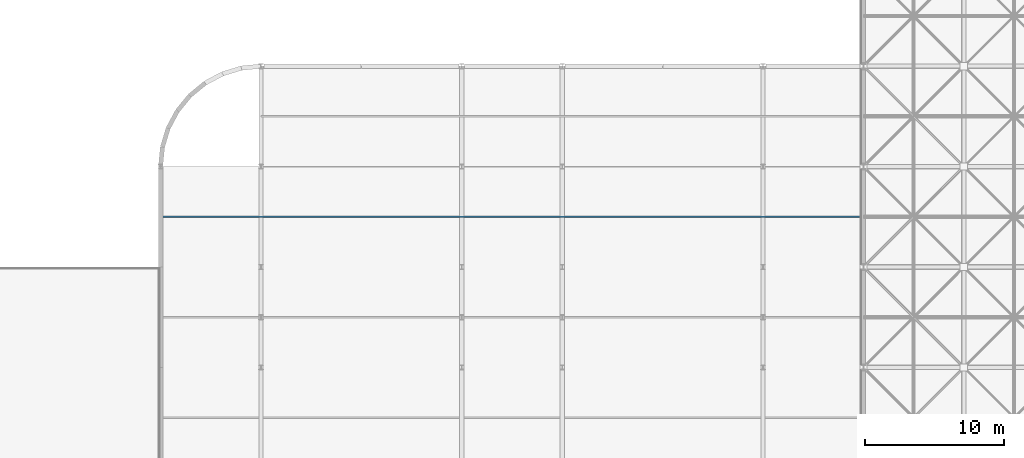
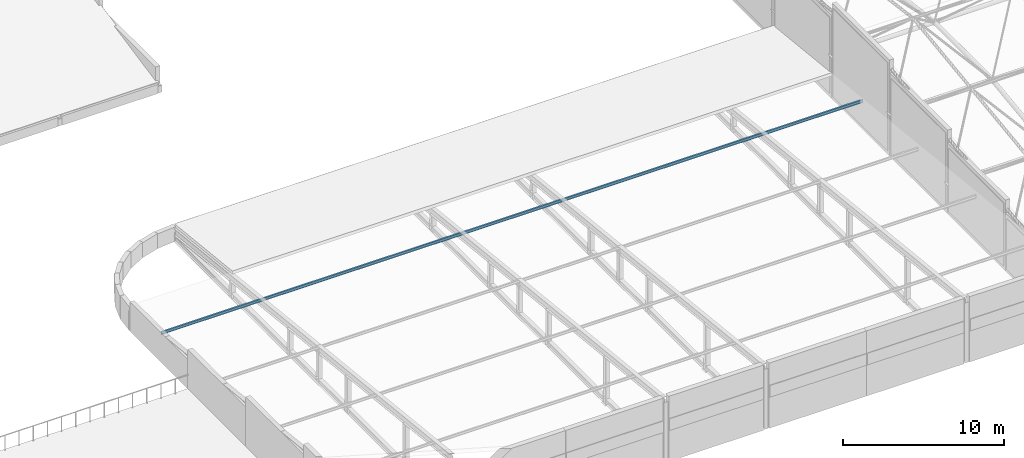
# One storey, part 27 of 103: 1 member.
"""IFC4 building model written with IfcOpenShell, lengths in metres."""

from ifc_helpers import new_model, si_unit, direction, frame, origin, origin_2d, place, context, subcontext, project, spatial, i_section, extrude, material, material_profile, profile_set, type_object, element, save


model = new_model("IFC4")

# Units and contexts
model_context = context("Model", 3, precision=1e-05, world=origin(), true_north=direction((0.0, 1.0)))
body_context = subcontext(model_context, "Body", "Model", "MODEL_VIEW")
ifc_project = project(units=[si_unit("LENGTHUNIT", "METRE"), si_unit("AREAUNIT", "SQUARE_METRE"), si_unit("VOLUMEUNIT", "CUBIC_METRE"), si_unit("PLANEANGLEUNIT", "RADIAN"), si_unit("MASSUNIT", "GRAM", prefix="KILO")], contexts=[model_context])

# Site, building, storey
site_placement = place(None, origin())
site = spatial("IfcSite", under=ifc_project, at=site_placement, CompositionType="ELEMENT")
building_placement = place(site_placement, origin())
building = spatial("IfcBuilding", under=site, at=building_placement, Name="Thalmaran Polytechnic", CompositionType="ELEMENT")
storey_placement = place(building_placement, frame((0.0, 0.0, 14.39990234375)))
storey = spatial("IfcBuildingStorey", under=building, at=storey_placement, Name="L03", CompositionType="ELEMENT", Elevation=14.39990234375)

# Member
ifc_material = material(Name="Steel S355", Category="steel")
ifc_material_profile = material_profile(ifc_material, i_section(OverallWidth=0.110107421875, OverallDepth=0.219970703125, WebThickness=0.005859375, FlangeThickness=0.00927734375, at=origin_2d()), Name="IPE 220")
ifc_profile_set = profile_set([ifc_material_profile], Name="Steel S355")
member_type = type_object("IfcMemberType", Name="MB-PUR1", PredefinedType="PURLIN", material=ifc_profile_set)
member_placement = place(storey_placement, frame((57.60009765625, 25.199951171875, 1.97509765625), z_axis=(1.0, 0.0, 0.0), x_axis=(0.0, 1.0, 0.0)))
element("IfcMember", 1, at=member_placement, inside=storey, type_object=member_type, Name="Lecture Roof Purlin Y=25.2", PredefinedType="PURLIN", context=body_context, shape_type="SweptSolid", body=[
    extrude(i_section(OverallWidth=0.110107421875, OverallDepth=0.219970703125, WebThickness=0.005859375, FlangeThickness=0.00927734375, at=origin_2d()), origin(), (0.0, 0.0, 1.0), 50.39990234375),
])

save(model, "model.ifc")
